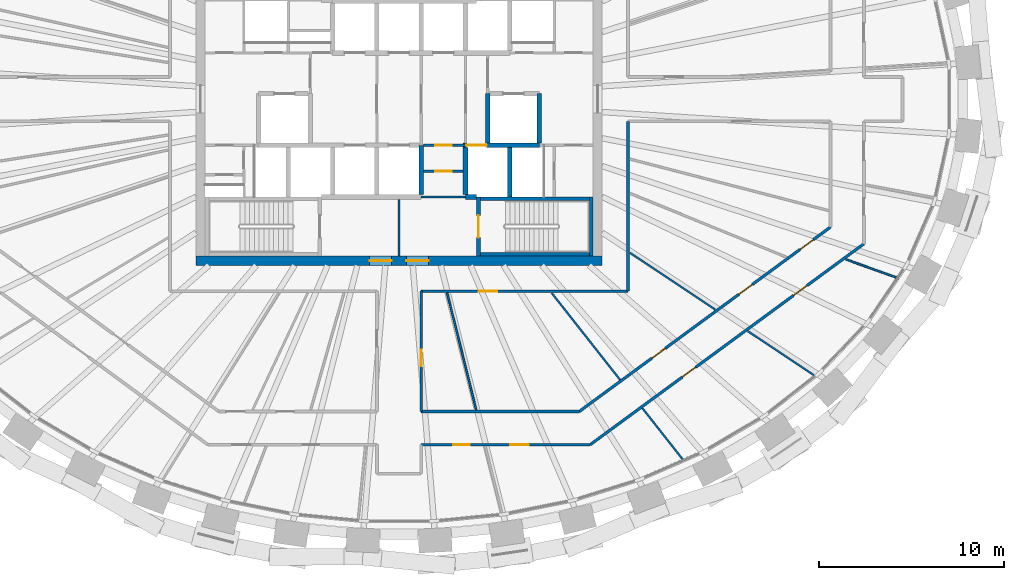
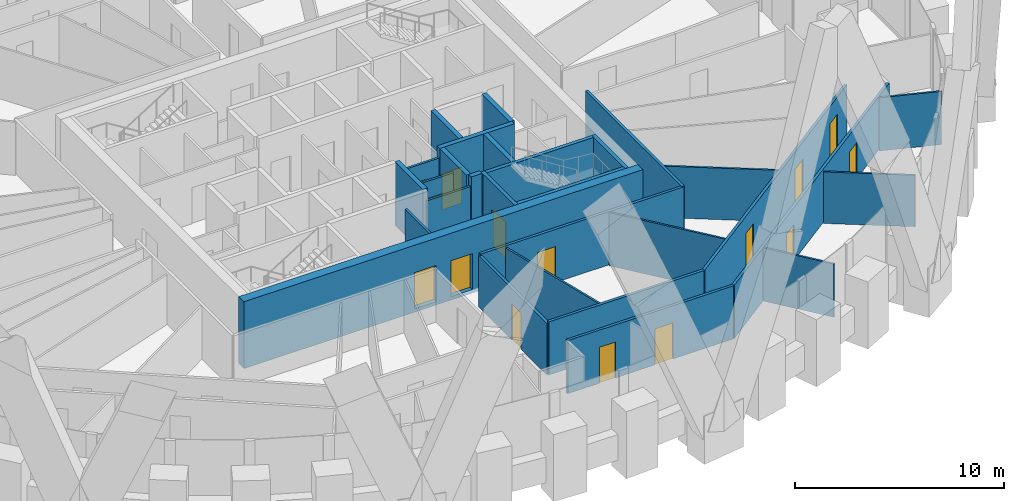
# One storey, part 9 of 14: 29 walls, 15 doors, 15 openings.
"""IFC4 building model written with IfcOpenShell, lengths in metres."""

import ifcopenshell
import ifcopenshell.guid

model = None  # the IFC model being written
_history = None  # IfcOwnerHistory: only IFC2X3 demands one
_inside = {}  # id of a spatial element -> (the spatial element, [elements in it])
_under = {}  # id of a project, library or spatial element -> (it, [spatial elements below it])
_declared = {}  # id of a project -> (the project, [libraries it declares])
_typed = {}  # id of a type object -> (the type object, [elements of that type])
_made_of = {}  # id of a material, layer set ... -> (it, [elements and type objects made of it])


def new_model(schema):
    """Start an empty IFC model of exactly this schema.

    Asked for "IFC4X3", IfcOpenShell would pick the latest addendum, in which some entities
    have other attributes; the version numbers below select the first issue.
    IFC2X3 requires an IfcOwnerHistory on every rooted entity: one is made here for all.
    """
    global model, _history
    if schema == "IFC4X3":
        model = ifcopenshell.file(schema_version=(4, 3, 0, 0))
    else:
        model = ifcopenshell.file(schema=schema)
    _inside.clear()
    _under.clear()
    _declared.clear()
    _typed.clear()
    _made_of.clear()
    _history = None
    if model.schema == "IFC2X3":
        org = make("IfcOrganization", Name="unknown")
        user = make(
            "IfcPersonAndOrganization",
            ThePerson=make("IfcPerson", FamilyName="unknown"),
            TheOrganization=org,
        )
        app = make(
            "IfcApplication",
            ApplicationDeveloper=org,
            Version="unknown",
            ApplicationFullName="unknown",
            ApplicationIdentifier="unknown",
        )
        _history = make(
            "IfcOwnerHistory",
            OwningUser=user,
            OwningApplication=app,
            ChangeAction="ADDED",
            CreationDate=0,
        )
    return model


def make(cls, **values):
    """One entity of the class cls with the attributes given. An attribute that is None is left unset."""
    return model.create_entity(
        cls, **{name: value for name, value in values.items() if value is not None}
    )


def rooted(cls, **values):
    """An entity with a GlobalId (a new one), such as an element, a storey or a relation."""
    return make(cls, GlobalId=ifcopenshell.guid.new(), OwnerHistory=_history, **values)


def si_unit(unit_type, name, prefix=None):
    """IfcSIUnit, for example si_unit("LENGTHUNIT", "METRE", prefix="MILLI")."""
    return make("IfcSIUnit", UnitType=unit_type, Prefix=prefix, Name=name)


def assignment(units):
    """IfcUnitAssignment: the units of a project."""
    return None if units is None else make("IfcUnitAssignment", Units=units)


def point(xyz):
    """IfcCartesianPoint."""
    return None if xyz is None else make("IfcCartesianPoint", Coordinates=xyz)


def direction(xyz):
    """IfcDirection."""
    return None if xyz is None else make("IfcDirection", DirectionRatios=xyz)


def frame(location, z_axis=None, x_axis=None):
    """IfcAxis2Placement3D, a coordinate frame: its origin and axes. An axis left out is left unset."""
    return make(
        "IfcAxis2Placement3D",
        Location=point(location),
        Axis=direction(z_axis),
        RefDirection=direction(x_axis),
    )


def frame_2d(location, x_axis=None):
    """IfcAxis2Placement2D, a coordinate frame in the plane: its origin and x axis."""
    return make(
        "IfcAxis2Placement2D", Location=point(location), RefDirection=direction(x_axis)
    )


def origin():
    """The frame at (0, 0, 0) with its axes left unset."""
    return frame((0.0, 0.0, 0.0))


def place(relative_to, where):
    """IfcLocalPlacement: puts the frame where relative to a parent placement (None: the world)."""
    return make(
        "IfcLocalPlacement", PlacementRelTo=relative_to, RelativePlacement=where
    )


def context(
    kind, dimensions, precision=None, world=None, true_north=None, identifier=None
):
    """IfcGeometricRepresentationContext, for example the 3D "Model" context."""
    return make(
        "IfcGeometricRepresentationContext",
        ContextIdentifier=identifier,
        ContextType=kind,
        CoordinateSpaceDimension=dimensions,
        Precision=precision,
        WorldCoordinateSystem=world,
        TrueNorth=true_north,
    )


def subcontext(parent, identifier, kind, view, scale=None):
    """IfcGeometricRepresentationSubContext, for example "Body" below "Model"."""
    return make(
        "IfcGeometricRepresentationSubContext",
        ContextIdentifier=identifier,
        ContextType=kind,
        ParentContext=parent,
        TargetScale=scale,
        TargetView=view,
    )


def project(units=None, contexts=None):
    """IfcProject with its units and contexts."""
    return rooted(
        "IfcProject",
        Name="project",
        RepresentationContexts=contexts,
        UnitsInContext=assignment(units),
    )


def spatial(cls, under=None, at=None, **own):
    """A site, building, storey or space (cls), placed at a placement, below another one or the project."""
    s = rooted(cls, ObjectPlacement=at, **own)
    if under is not None:
        _under.setdefault(under.id(), (under, []))[1].append(s)
    return s


def profile(cls, at=None, kind="AREA", **sizes):
    """A parametric profile (cls). Its sizes go by their IFC names, for example OverallWidth=200.0."""
    return make(cls, ProfileType=kind, Position=at, **sizes)


def rectangle(**sizes):
    """IfcRectangleProfileDef."""
    return profile("IfcRectangleProfileDef", **sizes)


def extrude(swept, where, along, depth):
    """IfcExtrudedAreaSolid: the profile swept, set in the frame where, extruded along a direction by depth."""
    return make(
        "IfcExtrudedAreaSolid",
        SweptArea=swept,
        Position=where,
        ExtrudedDirection=direction(along),
        Depth=depth,
    )


def shape(context_of_items, identifier, shape_type, items):
    """IfcShapeRepresentation: the items that make up one representation, for example the "Body"."""
    return make(
        "IfcShapeRepresentation",
        ContextOfItems=context_of_items,
        RepresentationIdentifier=identifier,
        RepresentationType=shape_type,
        Items=items,
    )


def source(mapping_origin, context_of_items, identifier, shape_type, items):
    """IfcRepresentationMap: a shape defined once, which mapped items show again and again."""
    return make(
        "IfcRepresentationMap",
        MappingOrigin=mapping_origin,
        MappedRepresentation=shape(context_of_items, identifier, shape_type, items),
    )


def transform(
    local_origin,
    x_axis=None,
    y_axis=None,
    z_axis=None,
    scale=None,
    scale2=None,
    scale3=None,
    uniform=True,
):
    """IfcCartesianTransformationOperator3D, or its non-uniform kind. x_axis, y_axis, z_axis: its Axis1, 2, 3."""
    if uniform:
        return make(
            "IfcCartesianTransformationOperator3D",
            Axis1=direction(x_axis),
            Axis2=direction(y_axis),
            LocalOrigin=point(local_origin),
            Scale=scale,
            Axis3=direction(z_axis),
        )
    return make(
        "IfcCartesianTransformationOperator3DnonUniform",
        Axis1=direction(x_axis),
        Axis2=direction(y_axis),
        LocalOrigin=point(local_origin),
        Scale=scale,
        Axis3=direction(z_axis),
        Scale2=scale2,
        Scale3=scale3,
    )


def mapped(mapping_source, mapping_target):
    """IfcMappedItem: shows the shape of a source again, moved by a transform."""
    return make(
        "IfcMappedItem", MappingSource=mapping_source, MappingTarget=mapping_target
    )


def material(Name=None, Category=None):
    """IfcMaterial."""
    return make("IfcMaterial", Name=Name, Category=Category)


def layer(
    of_material, thickness, ventilated=None, Name=None, Category=None, Priority=None
):
    """IfcMaterialLayer: one layer of a wall or slab, of a material (None: an air gap)."""
    return make(
        "IfcMaterialLayer",
        Material=of_material,
        LayerThickness=thickness,
        IsVentilated=ventilated,
        Name=Name,
        Category=Category,
        Priority=Priority,
    )


def layer_set(layers, Name=None):
    """IfcMaterialLayerSet."""
    return make("IfcMaterialLayerSet", MaterialLayers=layers, LayerSetName=Name)


def made_of(thing, what):
    """Note that an element or type object is made of a material, layer set ...; save() writes the relation."""
    if what is not None:
        _made_of.setdefault(what.id(), (what, []))[1].append(thing)
    return thing


def type_object(cls, material=None, **own):
    """A type object (cls), such as IfcWallType, which elements share."""
    return made_of(rooted(cls, **own), material)


def element(
    cls,
    number,
    at=None,
    inside=None,
    cuts=None,
    type_object=None,
    material=None,
    context=None,
    identifier="Body",
    shape_type=None,
    held_by="IfcProductDefinitionShape",
    body=None,
    shapes=None,
    **own,
):
    """One element of the class cls, such as IfcWall. Its Tag is "e" and its number.

    at: its placement. inside: the storey or other place that contains it. cuts: it is an
    opening in that element (IfcRelVoidsElement). A single representation is given by context,
    identifier, shape_type and body (its items); several are given by shapes. held_by: the class
    of the entity that holds the representations. save() writes the other relations.
    """
    e = rooted(cls, Tag="e%d" % number, ObjectPlacement=at, **own)
    if body is not None:
        shapes = [shape(context, identifier, shape_type, body)]
    if shapes is not None:
        e.Representation = make(held_by, Representations=shapes)
    if inside is not None:
        _inside.setdefault(inside.id(), (inside, []))[1].append(e)
    if cuts is not None:
        rooted(
            "IfcRelVoidsElement", RelatingBuildingElement=cuts, RelatedOpeningElement=e
        )
    if type_object is not None:
        _typed.setdefault(type_object.id(), (type_object, []))[1].append(e)
    return made_of(e, material)


def fill(opening, filler):
    """IfcRelFillsElement: the door or window that sits in an opening."""
    return rooted(
        "IfcRelFillsElement",
        RelatingOpeningElement=opening,
        RelatedBuildingElement=filler,
    )


def aggregate(whole, parts):
    """IfcRelAggregates: a whole, such as a stair, and the parts it consists of."""
    return rooted("IfcRelAggregates", RelatingObject=whole, RelatedObjects=parts)


def save(model, path):
    """Write the relations noted so far, then the file.

    IfcRelAggregates (storeys below a building ...), IfcRelContainedInSpatialStructure (elements
    in a storey), IfcRelDefinesByType, IfcRelAssociatesMaterial and IfcRelDeclares: one each for
    every whole, place, type object, material and project.
    """
    for whole, parts in _under.values():
        aggregate(whole, parts)
    for where, things in _inside.values():
        rooted(
            "IfcRelContainedInSpatialStructure",
            RelatedElements=things,
            RelatingStructure=where,
        )
    for kind, things in _typed.values():
        rooted("IfcRelDefinesByType", RelatedObjects=things, RelatingType=kind)
    for what, things in _made_of.values():
        rooted("IfcRelAssociatesMaterial", RelatedObjects=things, RelatingMaterial=what)
    for by, libraries in _declared.values():
        rooted("IfcRelDeclares", RelatingContext=by, RelatedDefinitions=libraries)
    model.write(path)


model = new_model("IFC4")

# Units and contexts
model_context = context("Model", 3, precision=1e-05, world=origin(), true_north=direction((0.0, 1.0)))
body_context = subcontext(model_context, "Body", "Model", "MODEL_VIEW")
ifc_project = project(units=[si_unit("LENGTHUNIT", "METRE"), si_unit("AREAUNIT", "SQUARE_METRE"), si_unit("VOLUMEUNIT", "CUBIC_METRE"), si_unit("PLANEANGLEUNIT", "RADIAN"), si_unit("MASSUNIT", "GRAM", prefix="KILO")], contexts=[model_context])

# Site, building, storey
site_placement = place(None, origin())
site = spatial("IfcSite", under=ifc_project, at=site_placement, CompositionType="ELEMENT")
building_placement = place(site_placement, origin())
building = spatial("IfcBuilding", under=site, at=building_placement, Name="Embergate Tower", CompositionType="ELEMENT")
storey_placement = place(building_placement, frame((0.0, 0.0, 297.39990234375)))
storey = spatial("IfcBuildingStorey", under=building, at=storey_placement, Name="L69", CompositionType="ELEMENT", Elevation=297.39990234375)

# Wall, openings, doors
ifc_material_1 = material(Name="Concrete C50", Category="concrete")
ifc_layer_1 = layer(ifc_material_1, 0.5)
ifc_layer_set_1 = layer_set([ifc_layer_1], Name="Concrete C50")
wall_type_1 = type_object("IfcWallType", Name="Core outer wall C50 500", PredefinedType="SHEAR", material=ifc_layer_set_1)
shared_shape_1 = source(origin(), body_context, "Body", "SweptSolid", [
    extrude(rectangle(XDim=22.0, YDim=0.5, at=frame_2d((11.0, 0.0))), origin(), (0.0, 0.0, 1.0), 3.900146484375),
])
wall_1_placement = place(storey_placement, frame((-11.0, -8.75, -0.199951171875), z_axis=(0.0, 0.0, 1.0), x_axis=(1.0, 0.0, 0.0)))
wall_1 = element("IfcWall", 1, at=wall_1_placement, inside=storey, type_object=wall_type_1, Name="CW-L69-S", PredefinedType="SHEAR", context=body_context, shape_type="MappedRepresentation", body=[
    mapped(shared_shape_1, transform((0.0, 0.0, 0.0))),
])
shared_shape_2 = source(origin(), body_context, "Body", "SweptSolid", [
    extrude(rectangle(XDim=1.199951171875, YDim=2.10009765625, at=frame_2d((0.60009765625, 1.050048828125))), frame((0.0, 0.260009765625, 0.0), z_axis=(0.0, -1.0, 0.0), x_axis=(1.0, 0.0, 0.0)), (0.0, 0.0, 1.0), 0.52001953125),
])
opening_1_placement = place(wall_1_placement, frame((9.39990234375, 0.0, 0.199951171875)))
opening_1 = element("IfcOpeningElement", 2, at=opening_1_placement, cuts=wall_1, Name="Opening IF-1", PredefinedType="OPENING", context=body_context, shape_type="MappedRepresentation", body=[
    mapped(shared_shape_2, transform((0.0, 0.0, 0.0))),
])
opening_2_placement = place(wall_1_placement, frame((11.39990234375, 0.0, 0.199951171875)))
opening_2 = element("IfcOpeningElement", 3, at=opening_2_placement, cuts=wall_1, Name="Opening IF-1", PredefinedType="OPENING", context=body_context, shape_type="MappedRepresentation", body=[
    mapped(shared_shape_2, transform((0.0, 0.0, 0.0))),
])
ifc_material_2 = material(Name="Escape fire door 1200")
door_type_1 = type_object("IfcDoorType", Name="Escape fire door 1200", OperationType="SINGLE_SWING_LEFT", PredefinedType="DOOR", material=ifc_material_2)
shared_shape_3 = source(origin(), body_context, "Body", "SweptSolid", [
    extrude(rectangle(XDim=1.199951171875, YDim=2.10009765625, at=frame_2d((0.60009765625, 1.050048828125))), frame((0.0, 0.02490234375, 0.0), z_axis=(0.0, -1.0, 0.0), x_axis=(1.0, 0.0, 0.0)), (0.0, 0.0, 1.0), 0.050048828125),
])
door_1_placement = place(opening_1_placement, origin())
door_1 = element("IfcDoor", 4, at=door_1_placement, inside=storey, type_object=door_type_1, Name="IF-1 door", OperationType="SINGLE_SWING_LEFT", OverallHeight=2.10009765625, OverallWidth=1.199951171875, PredefinedType="DOOR", context=body_context, shape_type="MappedRepresentation", body=[
    mapped(shared_shape_3, transform((0.0, 0.0, 0.0))),
])
fill(opening_1, door_1)
door_2_placement = place(opening_2_placement, origin())
door_2 = element("IfcDoor", 5, at=door_2_placement, inside=storey, type_object=door_type_1, Name="IF-1 door", OperationType="SINGLE_SWING_RIGHT", OverallHeight=2.10009765625, OverallWidth=1.199951171875, PredefinedType="DOOR", context=body_context, shape_type="MappedRepresentation", body=[
    mapped(shared_shape_3, transform((0.0, 0.0, 0.0))),
])
fill(opening_2, door_2)

# Walls
ifc_layer_2 = layer(ifc_material_1, 0.25)
ifc_layer_set_2 = layer_set([ifc_layer_2], Name="Concrete C50")
wall_type_2 = type_object("IfcWallType", Name="Hoistway wall reinforced concrete 250", PredefinedType="SHEAR", material=ifc_layer_set_2)
shared_shape_4 = source(origin(), body_context, "Body", "SweptSolid", [
    extrude(rectangle(XDim=2.675048828125, YDim=0.25, at=frame_2d((1.33740234375, 0.0))), origin(), (0.0, 0.0, 1.0), 3.7001953125),
])
for number, where, z_axis, x_axis, name in (
    (6, (1.199951171875, -5.175048828125, 0.0), (0.0, 0.0, 1.0), (0.0, 1.0, 0.0), "HW-1 wall"),
    (7, (6.0, -5.300048828125, 0.0), (0.0, 0.0, 1.0), (0.0, 1.0, 0.0), "HW-1 wall"),
    (8, (4.800048828125, -2.375, 0.0), (0.0, 0.0, 1.0), (0.0, 1.0, 0.0), "HW-1 wall"),
    (9, (7.60009765625, -2.375, 0.0), (0.0, 0.0, 1.0), (0.0, 1.0, 0.0), "HW-1 wall"),
):
    element("IfcWall", number, at=place(storey_placement, frame(where, z_axis=z_axis, x_axis=x_axis)), inside=storey, type_object=wall_type_2, Name=name, PredefinedType="SHEAR", context=body_context, shape_type="MappedRepresentation", body=[
        mapped(shared_shape_4, transform((0.0, 0.0, 0.0))),
    ])
ifc_layer_3 = layer(ifc_material_1, 0.199951171875)
ifc_layer_set_3 = layer_set([ifc_layer_3], Name="Concrete C50")
wall_type_3 = type_object("IfcWallType", Name="Stair enclosure wall reinforced concrete 250", PredefinedType="SHEAR", material=ifc_layer_set_3)
shared_shape_5 = source(origin(), body_context, "Body", "SweptSolid", [
    extrude(rectangle(XDim=6.300048828125, YDim=0.199951171875, at=frame_2d((3.14990234375, 0.0))), origin(), (0.0, 0.0, 1.0), 3.7001953125),
])
wall_2_placement = place(storey_placement, frame((4.199951171875, -5.39990234375, 0.0), z_axis=(0.0, 0.0, 1.0), x_axis=(1.0, 0.0, 0.0)))
element("IfcWall", 10, at=wall_2_placement, inside=storey, type_object=wall_type_3, Name="SE-1 wall", PredefinedType="SHEAR", context=body_context, shape_type="MappedRepresentation", body=[
    mapped(shared_shape_5, transform((0.0, 0.0, 0.0))),
])
shared_shape_6 = source(origin(), body_context, "Body", "SweptSolid", [
    extrude(rectangle(XDim=2.550048828125, YDim=0.25, at=frame_2d((1.27490234375, 0.0))), origin(), (0.0, 0.0, 1.0), 3.7001953125),
])
wall_3_placement = place(storey_placement, frame((3.60009765625, -2.625, 0.0), z_axis=(0.0, 0.0, 1.0), x_axis=(0.0, -1.0, 0.0)))
element("IfcWall", 11, at=wall_3_placement, inside=storey, type_object=wall_type_2, Name="HW-1 wall", PredefinedType="SHEAR", context=body_context, shape_type="MappedRepresentation", body=[
    mapped(shared_shape_6, transform((0.0, 0.0, 0.0))),
])

# Wall, opening, door
shared_shape_7 = source(origin(), body_context, "Body", "SweptSolid", [
    extrude(rectangle(XDim=3.199951171875, YDim=0.199951171875, at=frame_2d((1.60009765625, 0.0))), origin(), (0.0, 0.0, 1.0), 3.7001953125),
])
wall_4_placement = place(storey_placement, frame((4.300048828125, -5.300048828125, 0.0), z_axis=(0.0, 0.0, 1.0), x_axis=(0.0, -1.0, 0.0)))
wall_4 = element("IfcWall", 12, at=wall_4_placement, inside=storey, type_object=wall_type_3, Name="SE-1 wall", PredefinedType="SHEAR", context=body_context, shape_type="MappedRepresentation", body=[
    mapped(shared_shape_7, transform((0.0, 0.0, 0.0))),
])
shared_shape_8 = source(origin(), body_context, "Body", "SweptSolid", [
    extrude(rectangle(XDim=1.199951171875, YDim=2.10009765625, at=frame_2d((0.60009765625, 1.050048828125))), frame((0.0, 0.10986328125, 0.0), z_axis=(0.0, -1.0, 0.0), x_axis=(1.0, 0.0, 0.0)), (0.0, 0.0, 1.0), 0.219970703125),
])
opening_3_placement = place(wall_4_placement, frame((1.0, 0.0, 0.0)))
opening_3 = element("IfcOpeningElement", 13, at=opening_3_placement, cuts=wall_4, Name="Opening IF-2", PredefinedType="OPENING", context=body_context, shape_type="MappedRepresentation", body=[
    mapped(shared_shape_8, transform((0.0, 0.0, 0.0))),
])
ifc_material_3 = material(Name="Stair enclosure door 1200")
door_type_2 = type_object("IfcDoorType", Name="Stair enclosure door 1200", OperationType="SINGLE_SWING_LEFT", PredefinedType="DOOR", material=ifc_material_3)
door_3_placement = place(opening_3_placement, origin())
door_3 = element("IfcDoor", 14, at=door_3_placement, inside=storey, type_object=door_type_2, Name="IF-2 door", OperationType="SINGLE_SWING_RIGHT", OverallHeight=2.10009765625, OverallWidth=1.199951171875, PredefinedType="DOOR", context=body_context, shape_type="MappedRepresentation", body=[
    mapped(shared_shape_3, transform((0.0, 0.0, 0.0))),
])
fill(opening_3, door_3)

# Walls
shared_shape_9 = source(origin(), body_context, "Body", "SweptSolid", [
    extrude(rectangle(XDim=0.599853515625, YDim=0.25, at=frame_2d((0.2998046875, 0.0))), origin(), (0.0, 0.0, 1.0), 3.7001953125),
])
wall_5_placement = place(storey_placement, frame((3.60009765625, -5.300048828125, 0.0), z_axis=(0.0, 0.0, 1.0), x_axis=(1.0, 0.0, 0.0)))
element("IfcWall", 15, at=wall_5_placement, inside=storey, type_object=wall_type_2, Name="HW-1 wall", PredefinedType="SHEAR", context=body_context, shape_type="MappedRepresentation", body=[
    mapped(shared_shape_9, transform((0.0, 0.0, 0.0))),
])
ifc_material_4 = material(Name="Corridor wall dry-lined 150")
ifc_layer_4 = layer(ifc_material_4, 0.14990234375)
ifc_layer_set_4 = layer_set([ifc_layer_4], Name="Corridor wall dry-lined 150")
wall_type_4 = type_object("IfcWallType", Name="Corridor wall dry-lined 150", PredefinedType="PARTITIONING", material=ifc_layer_set_4)
shared_shape_10 = source(origin(), body_context, "Body", "SweptSolid", [
    extrude(rectangle(XDim=9.199951171875, YDim=0.14990234375, at=frame_2d((4.60009765625, 0.0))), origin(), (0.0, 0.0, 1.0), 3.10009765625),
])
wall_6_placement = place(storey_placement, frame((12.39990234375, -10.39990234375, 0.0), z_axis=(0.0, 0.0, 1.0), x_axis=(0.0, 1.0, 0.0)))
element("IfcWall", 16, at=wall_6_placement, inside=storey, type_object=wall_type_4, Name="IP-2 wall", PredefinedType="PARTITIONING", context=body_context, shape_type="MappedRepresentation", body=[
    mapped(shared_shape_10, transform((0.0, 0.0, 0.0))),
])

# Wall, opening, door
shared_shape_11 = source(origin(), body_context, "Body", "SweptSolid", [
    extrude(rectangle(XDim=11.199951171875, YDim=0.14990234375, at=frame_2d((5.60009765625, 0.0))), origin(), (0.0, 0.0, 1.0), 3.10009765625),
])
wall_7_placement = place(storey_placement, frame((12.39990234375, -10.39990234375, 0.0), z_axis=(0.0, 0.0, 1.0), x_axis=(-1.0, 0.0, 0.0)))
wall_7 = element("IfcWall", 17, at=wall_7_placement, inside=storey, type_object=wall_type_4, Name="IP-2 wall", PredefinedType="PARTITIONING", context=body_context, shape_type="MappedRepresentation", body=[
    mapped(shared_shape_11, transform((0.0, 0.0, 0.0))),
])
shared_shape_12 = source(origin(), body_context, "Body", "SweptSolid", [
    extrude(rectangle(XDim=1.0, YDim=2.10009765625, at=frame_2d((0.5, 1.050048828125))), frame((0.0, 0.0849609375, 0.0), z_axis=(0.0, -1.0, 0.0), x_axis=(1.0, 0.0, 0.0)), (0.0, 0.0, 1.0), 0.169921875),
])
opening_4_placement = place(wall_7_placement, frame((7.075927734375, 0.0, 0.0)))
opening_4 = element("IfcOpeningElement", 18, at=opening_4_placement, cuts=wall_7, Name="Opening ID-2", PredefinedType="OPENING", context=body_context, shape_type="MappedRepresentation", body=[
    mapped(shared_shape_12, transform((0.0, 0.0, 0.0))),
])
ifc_material_5 = material(Name="Interior door 1000")
door_type_3 = type_object("IfcDoorType", Name="Interior door 1000", OperationType="SINGLE_SWING_LEFT", PredefinedType="DOOR", material=ifc_material_5)
shared_shape_13 = source(origin(), body_context, "Body", "SweptSolid", [
    extrude(rectangle(XDim=1.0, YDim=2.10009765625, at=frame_2d((0.5, 1.050048828125))), frame((0.0, 0.02490234375, 0.0), z_axis=(0.0, -1.0, 0.0), x_axis=(1.0, 0.0, 0.0)), (0.0, 0.0, 1.0), 0.050048828125),
])
door_4_placement = place(opening_4_placement, origin())
door_4 = element("IfcDoor", 19, at=door_4_placement, inside=storey, type_object=door_type_3, Name="ID-2 door", OperationType="SINGLE_SWING_LEFT", OverallHeight=2.10009765625, OverallWidth=1.0, PredefinedType="DOOR", context=body_context, shape_type="MappedRepresentation", body=[
    mapped(shared_shape_13, transform((0.0, 0.0, 0.0))),
])
fill(opening_4, door_4)

# Walls
ifc_material_6 = material(Name="Core partition blockwork 120")
ifc_layer_5 = layer(ifc_material_6, 0.1201171875)
ifc_layer_set_5 = layer_set([ifc_layer_5], Name="Core partition blockwork 120")
wall_type_5 = type_object("IfcWallType", Name="Core partition blockwork 120", PredefinedType="PARTITIONING", material=ifc_layer_set_5)
shared_shape_14 = source(origin(), body_context, "Body", "SweptSolid", [
    extrude(rectangle(XDim=2.400146484375, YDim=0.1201171875, at=frame_2d((1.2001953125, 0.0))), origin(), (0.0, 0.0, 1.0), 3.10009765625),
])
wall_8_placement = place(storey_placement, frame((3.60009765625, -5.300048828125, 0.0), z_axis=(0.0, 0.0, 1.0), x_axis=(-1.0, 0.0, 0.0)))
element("IfcWall", 20, at=wall_8_placement, inside=storey, type_object=wall_type_5, Name="IP-3 wall", PredefinedType="PARTITIONING", context=body_context, shape_type="MappedRepresentation", body=[
    mapped(shared_shape_14, transform((0.0, 0.0, 0.0))),
])
shared_shape_15 = source(origin(), body_context, "Body", "SweptSolid", [
    extrude(rectangle(XDim=3.074951171875, YDim=0.1201171875, at=frame_2d((1.53759765625, 0.0))), origin(), (0.0, 0.0, 1.0), 3.10009765625),
])
wall_9_placement = place(storey_placement, frame((0.0, -8.5, 0.0), z_axis=(0.0, 0.0, 1.0), x_axis=(0.0, 1.0, 0.0)))
element("IfcWall", 21, at=wall_9_placement, inside=storey, type_object=wall_type_5, Name="IP-3 wall", PredefinedType="PARTITIONING", context=body_context, shape_type="MappedRepresentation", body=[
    mapped(shared_shape_15, transform((0.0, 0.0, 0.0))),
])

# Wall, opening, door
shared_shape_16 = source(origin(), body_context, "Body", "SweptSolid", [
    extrude(rectangle(XDim=2.150146484375, YDim=0.1201171875, at=frame_2d((1.0751953125, 0.0))), origin(), (0.0, 0.0, 1.0), 3.10009765625),
])
wall_10_placement = place(storey_placement, frame((3.47509765625, -3.89990234375, 0.0), z_axis=(0.0, 0.0, 1.0), x_axis=(-1.0, 0.0, 0.0)))
wall_10 = element("IfcWall", 22, at=wall_10_placement, inside=storey, type_object=wall_type_5, Name="IP-3 wall", PredefinedType="PARTITIONING", context=body_context, shape_type="MappedRepresentation", body=[
    mapped(shared_shape_16, transform((0.0, 0.0, 0.0))),
])
shared_shape_17 = source(origin(), body_context, "Body", "SweptSolid", [
    extrude(rectangle(XDim=0.89990234375, YDim=2.10009765625, at=frame_2d((0.449951171875, 1.050048828125))), frame((0.0, 0.070068359375, 0.0), z_axis=(0.0, -1.0, 0.0), x_axis=(1.0, 0.0, 0.0)), (0.0, 0.0, 1.0), 0.14013671875),
])
opening_5_placement = place(wall_10_placement, frame((0.625, 0.0, 0.0)))
opening_5 = element("IfcOpeningElement", 23, at=opening_5_placement, cuts=wall_10, Name="Opening ID-1", PredefinedType="OPENING", context=body_context, shape_type="MappedRepresentation", body=[
    mapped(shared_shape_17, transform((0.0, 0.0, 0.0))),
])
ifc_material_7 = material(Name="Interior door 900")
door_type_4 = type_object("IfcDoorType", Name="Interior door 900", OperationType="SINGLE_SWING_LEFT", PredefinedType="DOOR", material=ifc_material_7)
shared_shape_18 = source(origin(), body_context, "Body", "SweptSolid", [
    extrude(rectangle(XDim=0.89990234375, YDim=2.10009765625, at=frame_2d((0.449951171875, 1.050048828125))), frame((0.0, 0.02490234375, 0.0), z_axis=(0.0, -1.0, 0.0), x_axis=(1.0, 0.0, 0.0)), (0.0, 0.0, 1.0), 0.050048828125),
])
door_5_placement = place(opening_5_placement, origin())
door_5 = element("IfcDoor", 24, at=door_5_placement, inside=storey, type_object=door_type_4, Name="ID-1 door", OperationType="SINGLE_SWING_LEFT", OverallHeight=2.10009765625, OverallWidth=0.89990234375, PredefinedType="DOOR", context=body_context, shape_type="MappedRepresentation", body=[
    mapped(shared_shape_18, transform((0.0, 0.0, 0.0))),
])
fill(opening_5, door_5)

# Walls
shared_shape_19 = source(origin(), body_context, "Body", "SweptSolid", [
    extrude(rectangle(XDim=6.298095703125, YDim=0.199951171875, at=frame_2d((3.14892578125, 0.0))), origin(), (0.0, 0.0, 1.0), 3.7001953125),
])
wall_11_placement = place(storey_placement, frame((4.201904296875, -8.39990234375, 0.0), z_axis=(0.0, 0.0, 1.0), x_axis=(1.0, 0.0, 0.0)))
element("IfcWall", 25, at=wall_11_placement, inside=storey, type_object=wall_type_3, Name="SE-1 wall", PredefinedType="SHEAR", context=body_context, shape_type="MappedRepresentation", body=[
    mapped(shared_shape_19, transform((0.0, 0.0, 0.0))),
])
shared_shape_20 = source(origin(), body_context, "Body", "SweptSolid", [
    extrude(rectangle(XDim=3.197998046875, YDim=0.199951171875, at=frame_2d((1.59912109375, 0.0))), origin(), (0.0, 0.0, 1.0), 3.7001953125),
])
wall_12_placement = place(storey_placement, frame((10.39990234375, -8.5, 0.0), z_axis=(0.0, 0.0, 1.0), x_axis=(0.0, 1.0, 0.0)))
element("IfcWall", 26, at=wall_12_placement, inside=storey, type_object=wall_type_3, Name="SE-1 wall", PredefinedType="SHEAR", context=body_context, shape_type="MappedRepresentation", body=[
    mapped(shared_shape_20, transform((0.0, 0.0, 0.0))),
])

# Wall, opening, door
shared_shape_21 = source(origin(), body_context, "Body", "SweptSolid", [
    extrude(rectangle(XDim=2.275146484375, YDim=0.1201171875, at=frame_2d((1.1376953125, 0.0))), origin(), (0.0, 0.0, 1.0), 3.10009765625),
])
wall_13_placement = place(storey_placement, frame((1.324951171875, -2.5, 0.0), z_axis=(0.0, 0.0, 1.0), x_axis=(1.0, 0.0, 0.0)))
wall_13 = element("IfcWall", 27, at=wall_13_placement, inside=storey, type_object=wall_type_5, Name="IP-3 wall", PredefinedType="PARTITIONING", context=body_context, shape_type="MappedRepresentation", body=[
    mapped(shared_shape_21, transform((0.0, 0.0, 0.0))),
])
opening_6_placement = place(wall_13_placement, frame((0.625, 0.0, 0.0)))
opening_6 = element("IfcOpeningElement", 28, at=opening_6_placement, cuts=wall_13, Name="Opening ID-1", PredefinedType="OPENING", context=body_context, shape_type="MappedRepresentation", body=[
    mapped(shared_shape_17, transform((0.0, 0.0, 0.0))),
])
door_6_placement = place(opening_6_placement, origin())
door_6 = element("IfcDoor", 29, at=door_6_placement, inside=storey, type_object=door_type_4, Name="ID-1 door", OperationType="SINGLE_SWING_RIGHT", OverallHeight=2.10009765625, OverallWidth=0.89990234375, PredefinedType="DOOR", context=body_context, shape_type="MappedRepresentation", body=[
    mapped(shared_shape_18, transform((0.0, 0.0, 0.0))),
])
fill(opening_6, door_6)

# Wall, openings, doors
shared_shape_22 = source(origin(), body_context, "Body", "SweptSolid", [
    extrude(rectangle(XDim=18.38427734375, YDim=0.14990234375, at=frame_2d((9.192138671875, 0.0))), origin(), (0.0, 0.0, 1.0), 3.10009765625),
])
wall_14_placement = place(storey_placement, frame((10.345947265625, -18.712890625, 0.0), z_axis=(0.0, 0.0, 1.0), x_axis=(0.80612330372, 0.591747597545, 0.0)))
wall_14 = element("IfcWall", 30, at=wall_14_placement, inside=storey, type_object=wall_type_4, Name="IP-2 wall", PredefinedType="PARTITIONING", context=body_context, shape_type="MappedRepresentation", body=[
    mapped(shared_shape_22, transform((0.0, 0.0, 0.0))),
])
shared_shape_23 = source(origin(), body_context, "Body", "SweptSolid", [
    extrude(rectangle(XDim=0.89990234375, YDim=2.10009765625, at=frame_2d((0.449951171875, 1.050048828125))), frame((0.0, 0.0849609375, 0.0), z_axis=(0.0, -1.0, 0.0), x_axis=(1.0, 0.0, 0.0)), (0.0, 0.0, 1.0), 0.169921875),
])
opening_7_placement = place(wall_14_placement, frame((6.1845703125, 0.0, 0.0)))
opening_7 = element("IfcOpeningElement", 31, at=opening_7_placement, cuts=wall_14, Name="Opening IF-1c", PredefinedType="OPENING", context=body_context, shape_type="MappedRepresentation", body=[
    mapped(shared_shape_23, transform((0.0, 0.0, 0.0))),
])
opening_8_placement = place(wall_14_placement, frame((13.662353515625, 0.0, 0.0)))
opening_8 = element("IfcOpeningElement", 32, at=opening_8_placement, cuts=wall_14, Name="Opening IF-1c", PredefinedType="OPENING", context=body_context, shape_type="MappedRepresentation", body=[
    mapped(shared_shape_23, transform((0.0, 0.0, 0.0))),
])
ifc_material_8 = material(Name="Escape fire door 900")
door_type_5 = type_object("IfcDoorType", Name="Escape fire door 900", OperationType="SINGLE_SWING_LEFT", PredefinedType="DOOR", material=ifc_material_8)
door_7_placement = place(opening_7_placement, origin())
door_7 = element("IfcDoor", 33, at=door_7_placement, inside=storey, type_object=door_type_5, Name="IF-1 door", OperationType="SINGLE_SWING_LEFT", OverallHeight=2.10009765625, OverallWidth=0.89990234375, PredefinedType="DOOR", context=body_context, shape_type="MappedRepresentation", body=[
    mapped(shared_shape_18, transform((0.0, 0.0, 0.0))),
])
fill(opening_7, door_7)
door_8_placement = place(opening_8_placement, origin())
door_8 = element("IfcDoor", 34, at=door_8_placement, inside=storey, type_object=door_type_5, Name="IF-1 door", OperationType="SINGLE_SWING_RIGHT", OverallHeight=2.10009765625, OverallWidth=0.89990234375, PredefinedType="DOOR", context=body_context, shape_type="MappedRepresentation", body=[
    mapped(shared_shape_18, transform((0.0, 0.0, 0.0))),
])
fill(opening_8, door_8)

shared_shape_24 = source(origin(), body_context, "Body", "SweptSolid", [
    extrude(rectangle(XDim=16.8828125, YDim=0.14990234375, at=frame_2d((8.44140625, 0.0))), origin(), (0.0, 0.0, 1.0), 3.10009765625),
])
wall_15_placement = place(storey_placement, frame((9.756103515625, -16.9130859375, 0.0), z_axis=(0.0, 0.0, 1.0), x_axis=(0.806138724475, 0.591726589653, 0.0)))
wall_15 = element("IfcWall", 35, at=wall_15_placement, inside=storey, type_object=wall_type_4, Name="IP-2 wall", PredefinedType="PARTITIONING", context=body_context, shape_type="MappedRepresentation", body=[
    mapped(shared_shape_24, transform((0.0, 0.0, 0.0))),
])
opening_9_placement = place(wall_15_placement, frame((4.875244140625, 0.0, 0.0)))
opening_9 = element("IfcOpeningElement", 36, at=opening_9_placement, cuts=wall_15, Name="Opening IF-1c", PredefinedType="OPENING", context=body_context, shape_type="MappedRepresentation", body=[
    mapped(shared_shape_23, transform((0.0, 0.0, 0.0))),
])
opening_10_placement = place(wall_15_placement, frame((10.726806640625, 0.0, 0.0)))
opening_10 = element("IfcOpeningElement", 37, at=opening_10_placement, cuts=wall_15, Name="Opening IF-1c", PredefinedType="OPENING", context=body_context, shape_type="MappedRepresentation", body=[
    mapped(shared_shape_23, transform((0.0, 0.0, 0.0))),
])
opening_11_placement = place(wall_15_placement, frame((14.823974609375, 0.0, 0.0)))
opening_11 = element("IfcOpeningElement", 38, at=opening_11_placement, cuts=wall_15, Name="Opening IF-1c", PredefinedType="OPENING", context=body_context, shape_type="MappedRepresentation", body=[
    mapped(shared_shape_23, transform((0.0, 0.0, 0.0))),
])
door_9_placement = place(opening_9_placement, origin())
door_9 = element("IfcDoor", 39, at=door_9_placement, inside=storey, type_object=door_type_5, Name="IF-1 door", OperationType="SINGLE_SWING_LEFT", OverallHeight=2.10009765625, OverallWidth=0.89990234375, PredefinedType="DOOR", context=body_context, shape_type="MappedRepresentation", body=[
    mapped(shared_shape_18, transform((0.0, 0.0, 0.0))),
])
fill(opening_9, door_9)
door_10_placement = place(opening_10_placement, origin())
door_10 = element("IfcDoor", 40, at=door_10_placement, inside=storey, type_object=door_type_5, Name="IF-1 door", OperationType="SINGLE_SWING_RIGHT", OverallHeight=2.10009765625, OverallWidth=0.89990234375, PredefinedType="DOOR", context=body_context, shape_type="MappedRepresentation", body=[
    mapped(shared_shape_18, transform((0.0, 0.0, 0.0))),
])
fill(opening_10, door_10)
door_11_placement = place(opening_11_placement, origin())
door_11 = element("IfcDoor", 41, at=door_11_placement, inside=storey, type_object=door_type_5, Name="IF-1 door", OperationType="SINGLE_SWING_LEFT", OverallHeight=2.10009765625, OverallWidth=0.89990234375, PredefinedType="DOOR", context=body_context, shape_type="MappedRepresentation", body=[
    mapped(shared_shape_18, transform((0.0, 0.0, 0.0))),
])
fill(opening_11, door_11)

shared_shape_25 = source(origin(), body_context, "Body", "SweptSolid", [
    extrude(rectangle(XDim=9.14599609375, YDim=0.14990234375, at=frame_2d((4.572998046875, 0.0))), origin(), (0.0, 0.0, 1.0), 3.10009765625),
])
wall_16_placement = place(storey_placement, frame((10.345947265625, -18.712890625, 0.0), z_axis=(0.0, 0.0, 1.0), x_axis=(-1.0, 0.0, 0.0)))
wall_16 = element("IfcWall", 42, at=wall_16_placement, inside=storey, type_object=wall_type_4, Name="IP-2 wall", PredefinedType="PARTITIONING", context=body_context, shape_type="MappedRepresentation", body=[
    mapped(shared_shape_25, transform((0.0, 0.0, 0.0))),
])
opening_12_placement = place(wall_16_placement, frame((6.506103515625, 0.0, 0.0)))
opening_12 = element("IfcOpeningElement", 43, at=opening_12_placement, cuts=wall_16, Name="Opening IF-1c", PredefinedType="OPENING", context=body_context, shape_type="MappedRepresentation", body=[
    mapped(shared_shape_23, transform((0.0, 0.0, 0.0))),
])
opening_13_placement = place(wall_16_placement, frame((3.337158203125, 0.0, 0.0)))
opening_13 = element("IfcOpeningElement", 44, at=opening_13_placement, cuts=wall_16, Name="Opening ID-2", PredefinedType="OPENING", context=body_context, shape_type="MappedRepresentation", body=[
    mapped(shared_shape_12, transform((0.0, 0.0, 0.0))),
])
door_12_placement = place(opening_12_placement, origin())
door_12 = element("IfcDoor", 45, at=door_12_placement, inside=storey, type_object=door_type_5, Name="IF-1 door", OperationType="SINGLE_SWING_RIGHT", OverallHeight=2.10009765625, OverallWidth=0.89990234375, PredefinedType="DOOR", context=body_context, shape_type="MappedRepresentation", body=[
    mapped(shared_shape_18, transform((0.0, 0.0, 0.0))),
])
fill(opening_12, door_12)
door_13_placement = place(opening_13_placement, origin())
door_13 = element("IfcDoor", 46, at=door_13_placement, inside=storey, type_object=door_type_3, Name="ID-2 door", OperationType="SINGLE_SWING_LEFT", OverallHeight=2.10009765625, OverallWidth=1.0, PredefinedType="DOOR", context=body_context, shape_type="MappedRepresentation", body=[
    mapped(shared_shape_13, transform((0.0, 0.0, 0.0))),
])
fill(opening_13, door_13)

# Wall
shared_shape_26 = source(origin(), body_context, "Body", "SweptSolid", [
    extrude(rectangle(XDim=8.55615234375, YDim=0.14990234375, at=frame_2d((4.278076171875, 0.0))), origin(), (0.0, 0.0, 1.0), 3.10009765625),
])
wall_17_placement = place(storey_placement, frame((1.199951171875, -16.9130859375, 0.0), z_axis=(0.0, 0.0, 1.0), x_axis=(1.0, 0.0, 0.0)))
element("IfcWall", 47, at=wall_17_placement, inside=storey, type_object=wall_type_4, Name="IP-2 wall", PredefinedType="PARTITIONING", context=body_context, shape_type="MappedRepresentation", body=[
    mapped(shared_shape_26, transform((0.0, 0.0, 0.0))),
])

# Wall, opening, door
shared_shape_27 = source(origin(), body_context, "Body", "SweptSolid", [
    extrude(rectangle(XDim=6.51318359375, YDim=0.14990234375, at=frame_2d((3.256591796875, 0.0))), origin(), (0.0, 0.0, 1.0), 3.0),
])
wall_18_placement = place(storey_placement, frame((1.199951171875, -10.39990234375, 0.0), z_axis=(0.0, 0.0, 1.0), x_axis=(0.0, -1.0, 0.0)))
wall_18 = element("IfcWall", 48, at=wall_18_placement, inside=storey, type_object=wall_type_4, Name="IP-2 wall", PredefinedType="PARTITIONING", context=body_context, shape_type="MappedRepresentation", body=[
    mapped(shared_shape_27, transform((0.0, 0.0, 0.0))),
])
opening_14_placement = place(wall_18_placement, frame((3.157958984375, 0.0, 0.0)))
opening_14 = element("IfcOpeningElement", 49, at=opening_14_placement, cuts=wall_18, Name="Opening IF-1c", PredefinedType="OPENING", context=body_context, shape_type="MappedRepresentation", body=[
    mapped(shared_shape_23, transform((0.0, 0.0, 0.0))),
])
door_14_placement = place(opening_14_placement, origin())
door_14 = element("IfcDoor", 50, at=door_14_placement, inside=storey, type_object=door_type_5, Name="IF-1 door", OperationType="SINGLE_SWING_LEFT", OverallHeight=2.10009765625, OverallWidth=0.89990234375, PredefinedType="DOOR", context=body_context, shape_type="MappedRepresentation", body=[
    mapped(shared_shape_18, transform((0.0, 0.0, 0.0))),
])
fill(opening_14, door_14)

# Walls
ifc_material_9 = material(Name="Partition dry-lined 100")
ifc_layer_6 = layer(ifc_material_9, 0.10009765625)
ifc_layer_set_6 = layer_set([ifc_layer_6], Name="Partition dry-lined 100")
wall_type_6 = type_object("IfcWallType", Name="Partition dry-lined 100", PredefinedType="PARTITIONING", material=ifc_layer_set_6)
shared_shape_28 = source(origin(), body_context, "Body", "SweptSolid", [
    extrude(rectangle(XDim=6.53125, YDim=0.10009765625, at=frame_2d((3.265625, 0.0))), origin(), (0.0, 0.0, 1.0), 3.0),
])
wall_19_placement = place(storey_placement, frame((2.60302734375, -10.487060546875, 0.0), z_axis=(0.0, 0.0, 1.0), x_axis=(0.240987354202, -0.970528255701, 0.0)))
element("IfcWall", 51, at=wall_19_placement, inside=storey, type_object=wall_type_6, Name="IP-1 wall", PredefinedType="PARTITIONING", context=body_context, shape_type="MappedRepresentation", body=[
    mapped(shared_shape_28, transform((0.0, 0.0, 0.0))),
])
shared_shape_29 = source(origin(), body_context, "Body", "SweptSolid", [
    extrude(rectangle(XDim=3.638916015625, YDim=0.10009765625, at=frame_2d((1.8193359375, 0.0))), origin(), (0.0, 0.0, 1.0), 3.10009765625),
])
wall_20_placement = place(storey_placement, frame((13.173095703125, -16.73095703125, 0.0), z_axis=(0.0, 0.0, 1.0), x_axis=(0.618588689129, -0.785714982472, 0.0)))
element("IfcWall", 52, at=wall_20_placement, inside=storey, type_object=wall_type_6, Name="IP-1 wall", PredefinedType="PARTITIONING", context=body_context, shape_type="MappedRepresentation", body=[
    mapped(shared_shape_29, transform((0.0, 0.0, 0.0))),
])
shared_shape_30 = source(origin(), body_context, "Body", "SweptSolid", [
    extrude(rectangle(XDim=4.396728515625, YDim=0.10009765625, at=frame_2d((2.1982421875, 0.0))), origin(), (0.0, 0.0, 1.0), 3.0),
])
wall_21_placement = place(storey_placement, frame((18.8798828125, -12.56298828125, 0.0), z_axis=(0.0, 0.0, 1.0), x_axis=(0.832477186839, -0.554059322991, 0.0)))
element("IfcWall", 53, at=wall_21_placement, inside=storey, type_object=wall_type_6, Name="IP-1 wall", PredefinedType="PARTITIONING", context=body_context, shape_type="MappedRepresentation", body=[
    mapped(shared_shape_30, transform((0.0, 0.0, 0.0))),
])
shared_shape_31 = source(origin(), body_context, "Body", "SweptSolid", [
    extrude(rectangle(XDim=5.9716796875, YDim=0.10009765625, at=frame_2d((2.98583984375, 0.0))), origin(), (0.0, 0.0, 1.0), 3.10009765625),
])
wall_22_placement = place(storey_placement, frame((8.27197265625, -10.506103515625, 0.0), z_axis=(0.0, 0.0, 1.0), x_axis=(0.618608475676, -0.785699404239, 0.0)))
element("IfcWall", 54, at=wall_22_placement, inside=storey, type_object=wall_type_6, Name="IP-1 wall", PredefinedType="PARTITIONING", context=body_context, shape_type="MappedRepresentation", body=[
    mapped(shared_shape_31, transform((0.0, 0.0, 0.0))),
])
shared_shape_32 = source(origin(), body_context, "Body", "SweptSolid", [
    extrude(rectangle(XDim=5.547119140625, YDim=0.10009765625, at=frame_2d((2.7734375, 0.0))), origin(), (0.0, 0.0, 1.0), 3.0),
])
wall_23_placement = place(storey_placement, frame((12.5029296875, -8.320068359375, 0.0), z_axis=(0.0, 0.0, 1.0), x_axis=(0.832530728158, -0.553978868435, 0.0)))
element("IfcWall", 55, at=wall_23_placement, inside=storey, type_object=wall_type_6, Name="IP-1 wall", PredefinedType="PARTITIONING", context=body_context, shape_type="MappedRepresentation", body=[
    mapped(shared_shape_32, transform((0.0, 0.0, 0.0))),
])
shared_shape_33 = source(origin(), body_context, "Body", "SweptSolid", [
    extrude(rectangle(XDim=3.0234375, YDim=0.10009765625, at=frame_2d((1.51171875, 0.0))), origin(), (0.0, 0.0, 1.0), 3.10009765625),
])
wall_24_placement = place(storey_placement, frame((24.19189453125, -8.677001953125, 0.0), z_axis=(0.0, 0.0, 1.0), x_axis=(0.941372310645, -0.337369489953, 0.0)))
element("IfcWall", 56, at=wall_24_placement, inside=storey, type_object=wall_type_6, Name="IP-1 wall", PredefinedType="PARTITIONING", context=body_context, shape_type="MappedRepresentation", body=[
    mapped(shared_shape_33, transform((0.0, 0.0, 0.0))),
])

# Wall, opening, door
shared_shape_34 = source(origin(), body_context, "Body", "SweptSolid", [
    extrude(rectangle(XDim=4.125, YDim=0.25, at=frame_2d((2.0625, 0.0))), origin(), (0.0, 0.0, 1.0), 3.7001953125),
])
wall_25_placement = place(storey_placement, frame((7.60009765625, -2.5, 0.0), z_axis=(0.0, 0.0, 1.0), x_axis=(-1.0, 0.0, 0.0)))
wall_25 = element("IfcWall", 57, at=wall_25_placement, inside=storey, type_object=wall_type_2, Name="HW-1 wall", PredefinedType="SHEAR", context=body_context, shape_type="MappedRepresentation", body=[
    mapped(shared_shape_34, transform((0.0, 0.0, 0.0))),
])
shared_shape_35 = source(origin(), body_context, "Body", "SweptSolid", [
    extrude(rectangle(XDim=1.10009765625, YDim=2.10009765625, at=frame_2d((0.550048828125, 1.050048828125))), frame((0.0, 0.135009765625, 0.0), z_axis=(0.0, -1.0, 0.0), x_axis=(1.0, 0.0, 0.0)), (0.0, 0.0, 1.0), 0.27001953125),
])
opening_15_placement = place(wall_25_placement, frame((2.85009765625, 0.0, 0.0)))
opening_15 = element("IfcOpeningElement", 58, at=opening_15_placement, cuts=wall_25, Name="Opening LD", PredefinedType="OPENING", context=body_context, shape_type="MappedRepresentation", body=[
    mapped(shared_shape_35, transform((0.0, 0.0, 0.0))),
])
ifc_material_10 = material(Name="Landing door sliding 1100")
door_type_6 = type_object("IfcDoorType", Name="Landing door sliding 1100", OperationType="SLIDING_TO_LEFT", PredefinedType="DOOR", material=ifc_material_10)
shared_shape_36 = source(origin(), body_context, "Body", "SweptSolid", [
    extrude(rectangle(XDim=1.10009765625, YDim=2.10009765625, at=frame_2d((0.550048828125, 1.050048828125))), frame((0.0, 0.02490234375, 0.0), z_axis=(0.0, -1.0, 0.0), x_axis=(1.0, 0.0, 0.0)), (0.0, 0.0, 1.0), 0.050048828125),
])
door_15_placement = place(opening_15_placement, origin())
door_15 = element("IfcDoor", 59, at=door_15_placement, inside=storey, type_object=door_type_6, Name="LD door", OperationType="SLIDING_TO_LEFT", OverallHeight=2.10009765625, OverallWidth=1.10009765625, PredefinedType="DOOR", context=body_context, shape_type="MappedRepresentation", body=[
    mapped(shared_shape_36, transform((0.0, 0.0, 0.0))),
])
fill(opening_15, door_15)

save(model, "model.ifc")
